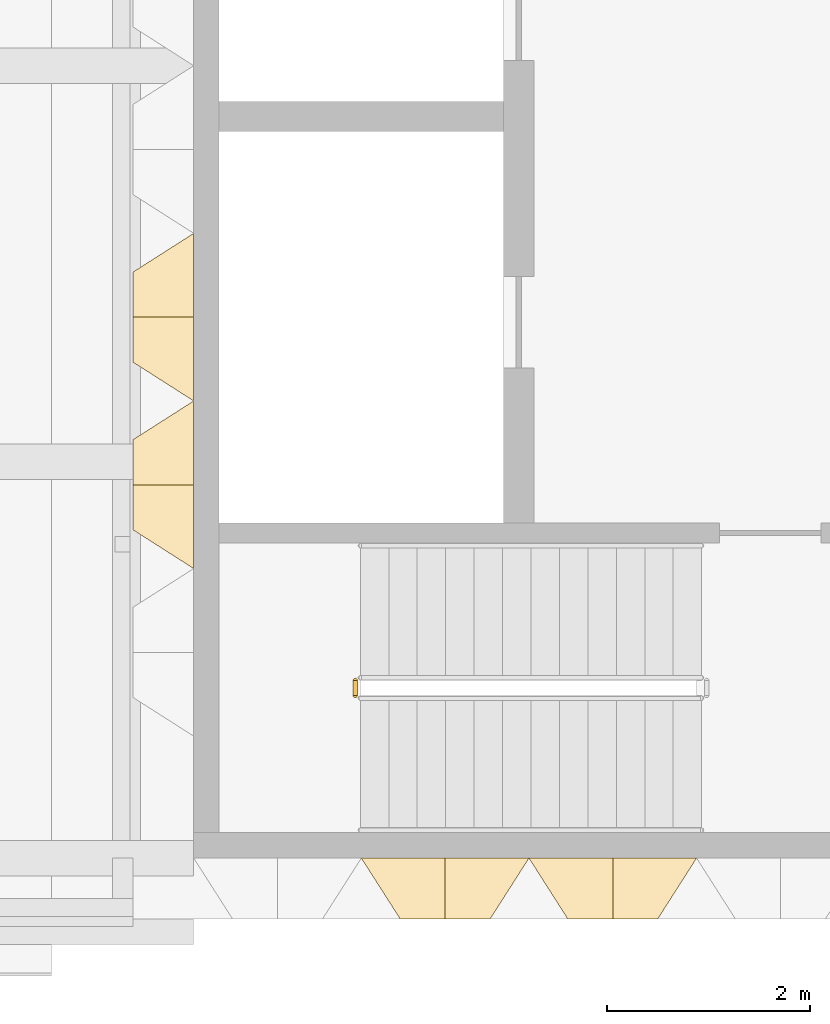
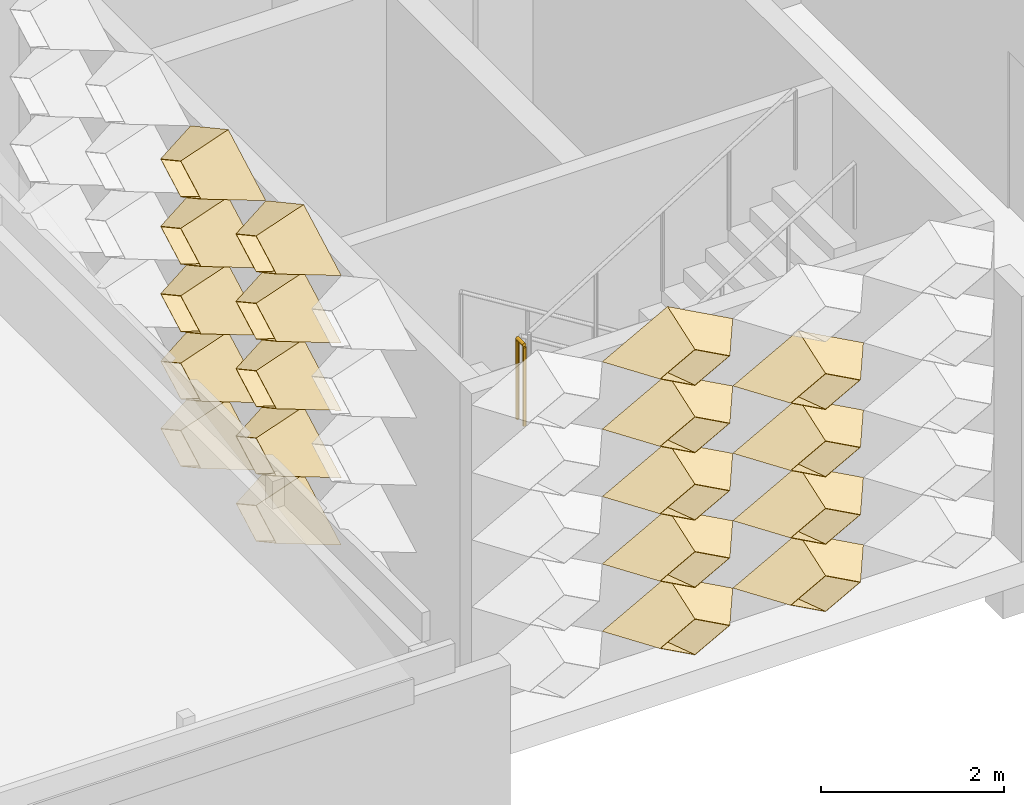
# One storey, part 22 of 39: 19 coverings, 1 railing.
"""IFC4 building model written with IfcOpenShell, lengths in metres."""

from ifc_helpers import new_model, entity, si_unit, direction, frame, origin, origin_2d, place, context, subcontext, project, spatial, circle, extrude, material, layer, layer_set, type_object, element, save


model = new_model("IFC4")

# Units and contexts
model_context = context("Model", 3, precision=1e-05, world=origin(), true_north=direction((0.0, 1.0)))
body_context = subcontext(model_context, "Body", "Model", "MODEL_VIEW")
ifc_project = project(units=[si_unit("LENGTHUNIT", "METRE"), si_unit("AREAUNIT", "SQUARE_METRE"), si_unit("VOLUMEUNIT", "CUBIC_METRE"), si_unit("PLANEANGLEUNIT", "RADIAN"), si_unit("MASSUNIT", "GRAM", prefix="KILO")], contexts=[model_context])

# Site, building, storey
site_placement = place(None, origin())
site = spatial("IfcSite", under=ifc_project, at=site_placement, CompositionType="ELEMENT")
building_placement = place(site_placement, origin())
building = spatial("IfcBuilding", under=site, at=building_placement, Name="Lantern Court Research Institute", CompositionType="ELEMENT")
storey_placement = place(building_placement, frame((0.0, 0.0, 27.89990234375)))
storey = spatial("IfcBuildingStorey", under=building, at=storey_placement, Name="L06", CompositionType="ELEMENT", Elevation=27.89990234375)

# Coverings
ifc_material_1 = material(Name="Anodised aluminium", Category="aluminium")
ifc_layer = layer(ifc_material_1, 0.01611328125)
ifc_layer_set = layer_set([ifc_layer], Name="Anodised aluminium")
covering_type = type_object("IfcCoveringType", Name="Fin cassette 1650 x 900 x 600 aluminium", PredefinedType="CLADDING", material=ifc_layer_set)
covering_1_placement = place(storey_placement, frame((55.27490234375, -7.800048828125, 0.4501953125), z_axis=(0.0, -1.0, 0.0), x_axis=(1.0, 0.0, 0.0)))
cartesian_point_1 = entity("IfcCartesianPoint", [0.824951171875, 0.0])
cartesian_point_2 = entity("IfcCartesianPoint", [0.79150390625, 0.0])
cartesian_point_3 = entity("IfcCartesianPoint", [0.44189453125, 0.0])
cartesian_point_4 = entity("IfcCartesianPoint", [0.43359375, 0.0])
element("IfcCovering", 1, at=covering_1_placement, inside=storey, type_object=covering_type, Name="Fin cassette V5S-L06 1.34", PredefinedType="CLADDING", context=body_context, shape_type="SweptSolid", body=[
    entity("IfcExtrudedAreaSolidTapered", entity("IfcArbitraryProfileDefWithVoids", "AREA", None, entity("IfcPolyline", [cartesian_point_1, entity("IfcCartesianPoint", [0.0, 0.449951171875]), entity("IfcCartesianPoint", [-0.824951171875, 0.0]), entity("IfcCartesianPoint", [0.0, -0.449951171875]), cartesian_point_1]), [entity("IfcPolyline", [cartesian_point_2, entity("IfcCartesianPoint", [0.0, 0.431884765625]), entity("IfcCartesianPoint", [-0.79150390625, 0.0]), entity("IfcCartesianPoint", [0.0, -0.431884765625]), cartesian_point_2])]), entity("IfcAxis2Placement3D", entity("IfcCartesianPoint", [0.0, 0.0, 0.0])), entity("IfcDirection", [0.0, 0.0, 1.0]), 0.60009765625, entity("IfcArbitraryProfileDefWithVoids", "AREA", None, entity("IfcPolyline", [cartesian_point_3, entity("IfcCartesianPoint", [0.0, 0.240966796875]), entity("IfcCartesianPoint", [-0.44189453125, 0.0]), entity("IfcCartesianPoint", [0.0, -0.240966796875]), cartesian_point_3]), [entity("IfcPolyline", [cartesian_point_4, entity("IfcCartesianPoint", [0.0, 0.236572265625]), entity("IfcCartesianPoint", [-0.43359375, 0.0]), entity("IfcCartesianPoint", [0.0, -0.236572265625]), cartesian_point_4])])),
])
covering_2_placement = place(storey_placement, frame((56.925048828125, -7.800048828125, 0.4501953125), z_axis=(0.0, -1.0, 0.0), x_axis=(1.0, 0.0, 0.0)))
cartesian_point_5 = entity("IfcCartesianPoint", [0.824951171875, 0.0])
cartesian_point_6 = entity("IfcCartesianPoint", [0.79150390625, 0.0])
cartesian_point_7 = entity("IfcCartesianPoint", [0.44189453125, 0.0])
cartesian_point_8 = entity("IfcCartesianPoint", [0.43359375, 0.0])
element("IfcCovering", 2, at=covering_2_placement, inside=storey, type_object=covering_type, Name="Fin cassette V5S-L06 1.35", PredefinedType="CLADDING", context=body_context, shape_type="SweptSolid", body=[
    entity("IfcExtrudedAreaSolidTapered", entity("IfcArbitraryProfileDefWithVoids", "AREA", None, entity("IfcPolyline", [cartesian_point_5, entity("IfcCartesianPoint", [0.0, 0.449951171875]), entity("IfcCartesianPoint", [-0.824951171875, 0.0]), entity("IfcCartesianPoint", [0.0, -0.449951171875]), cartesian_point_5]), [entity("IfcPolyline", [cartesian_point_6, entity("IfcCartesianPoint", [0.0, 0.431884765625]), entity("IfcCartesianPoint", [-0.79150390625, 0.0]), entity("IfcCartesianPoint", [0.0, -0.431884765625]), cartesian_point_6])]), entity("IfcAxis2Placement3D", entity("IfcCartesianPoint", [0.0, 0.0, 0.0])), entity("IfcDirection", [0.0, 0.0, 1.0]), 0.60009765625, entity("IfcArbitraryProfileDefWithVoids", "AREA", None, entity("IfcPolyline", [cartesian_point_7, entity("IfcCartesianPoint", [0.0, 0.240966796875]), entity("IfcCartesianPoint", [-0.44189453125, 0.0]), entity("IfcCartesianPoint", [0.0, -0.240966796875]), cartesian_point_7]), [entity("IfcPolyline", [cartesian_point_8, entity("IfcCartesianPoint", [0.0, 0.236572265625]), entity("IfcCartesianPoint", [-0.43359375, 0.0]), entity("IfcCartesianPoint", [0.0, -0.236572265625]), cartesian_point_8])])),
])
covering_3_placement = place(storey_placement, frame((55.27490234375, -7.800048828125, 1.35009765625), z_axis=(0.0, -1.0, 0.0), x_axis=(1.0, 0.0, 0.0)))
cartesian_point_9 = entity("IfcCartesianPoint", [0.824951171875, 0.0])
cartesian_point_10 = entity("IfcCartesianPoint", [0.79150390625, 0.0])
cartesian_point_11 = entity("IfcCartesianPoint", [0.44189453125, 0.0])
cartesian_point_12 = entity("IfcCartesianPoint", [0.43359375, 0.0])
element("IfcCovering", 3, at=covering_3_placement, inside=storey, type_object=covering_type, Name="Fin cassette V5S-L06 2.34", PredefinedType="CLADDING", context=body_context, shape_type="SweptSolid", body=[
    entity("IfcExtrudedAreaSolidTapered", entity("IfcArbitraryProfileDefWithVoids", "AREA", None, entity("IfcPolyline", [cartesian_point_9, entity("IfcCartesianPoint", [0.0, 0.449951171875]), entity("IfcCartesianPoint", [-0.824951171875, 0.0]), entity("IfcCartesianPoint", [0.0, -0.449951171875]), cartesian_point_9]), [entity("IfcPolyline", [cartesian_point_10, entity("IfcCartesianPoint", [0.0, 0.431884765625]), entity("IfcCartesianPoint", [-0.79150390625, 0.0]), entity("IfcCartesianPoint", [0.0, -0.431884765625]), cartesian_point_10])]), entity("IfcAxis2Placement3D", entity("IfcCartesianPoint", [0.0, 0.0, 0.0])), entity("IfcDirection", [0.0, 0.0, 1.0]), 0.60009765625, entity("IfcArbitraryProfileDefWithVoids", "AREA", None, entity("IfcPolyline", [cartesian_point_11, entity("IfcCartesianPoint", [0.0, 0.240966796875]), entity("IfcCartesianPoint", [-0.44189453125, 0.0]), entity("IfcCartesianPoint", [0.0, -0.240966796875]), cartesian_point_11]), [entity("IfcPolyline", [cartesian_point_12, entity("IfcCartesianPoint", [0.0, 0.236572265625]), entity("IfcCartesianPoint", [-0.43359375, 0.0]), entity("IfcCartesianPoint", [0.0, -0.236572265625]), cartesian_point_12])])),
])
covering_4_placement = place(storey_placement, frame((56.925048828125, -7.800048828125, 1.35009765625), z_axis=(0.0, -1.0, 0.0), x_axis=(1.0, 0.0, 0.0)))
cartesian_point_13 = entity("IfcCartesianPoint", [0.824951171875, 0.0])
cartesian_point_14 = entity("IfcCartesianPoint", [0.79150390625, 0.0])
cartesian_point_15 = entity("IfcCartesianPoint", [0.44189453125, 0.0])
cartesian_point_16 = entity("IfcCartesianPoint", [0.43359375, 0.0])
element("IfcCovering", 4, at=covering_4_placement, inside=storey, type_object=covering_type, Name="Fin cassette V5S-L06 2.35", PredefinedType="CLADDING", context=body_context, shape_type="SweptSolid", body=[
    entity("IfcExtrudedAreaSolidTapered", entity("IfcArbitraryProfileDefWithVoids", "AREA", None, entity("IfcPolyline", [cartesian_point_13, entity("IfcCartesianPoint", [0.0, 0.449951171875]), entity("IfcCartesianPoint", [-0.824951171875, 0.0]), entity("IfcCartesianPoint", [0.0, -0.449951171875]), cartesian_point_13]), [entity("IfcPolyline", [cartesian_point_14, entity("IfcCartesianPoint", [0.0, 0.431884765625]), entity("IfcCartesianPoint", [-0.79150390625, 0.0]), entity("IfcCartesianPoint", [0.0, -0.431884765625]), cartesian_point_14])]), entity("IfcAxis2Placement3D", entity("IfcCartesianPoint", [0.0, 0.0, 0.0])), entity("IfcDirection", [0.0, 0.0, 1.0]), 0.60009765625, entity("IfcArbitraryProfileDefWithVoids", "AREA", None, entity("IfcPolyline", [cartesian_point_15, entity("IfcCartesianPoint", [0.0, 0.240966796875]), entity("IfcCartesianPoint", [-0.44189453125, 0.0]), entity("IfcCartesianPoint", [0.0, -0.240966796875]), cartesian_point_15]), [entity("IfcPolyline", [cartesian_point_16, entity("IfcCartesianPoint", [0.0, 0.236572265625]), entity("IfcCartesianPoint", [-0.43359375, 0.0]), entity("IfcCartesianPoint", [0.0, -0.236572265625]), cartesian_point_16])])),
])
covering_5_placement = place(storey_placement, frame((55.27490234375, -7.800048828125, 2.25), z_axis=(0.0, -1.0, 0.0), x_axis=(1.0, 0.0, 0.0)))
cartesian_point_17 = entity("IfcCartesianPoint", [0.824951171875, 0.0])
cartesian_point_18 = entity("IfcCartesianPoint", [0.79150390625, 0.0])
cartesian_point_19 = entity("IfcCartesianPoint", [0.44189453125, 0.0])
cartesian_point_20 = entity("IfcCartesianPoint", [0.43359375, 0.0])
element("IfcCovering", 5, at=covering_5_placement, inside=storey, type_object=covering_type, Name="Fin cassette V5S-L06 3.34", PredefinedType="CLADDING", context=body_context, shape_type="SweptSolid", body=[
    entity("IfcExtrudedAreaSolidTapered", entity("IfcArbitraryProfileDefWithVoids", "AREA", None, entity("IfcPolyline", [cartesian_point_17, entity("IfcCartesianPoint", [0.0, 0.449951171875]), entity("IfcCartesianPoint", [-0.824951171875, 0.0]), entity("IfcCartesianPoint", [0.0, -0.449951171875]), cartesian_point_17]), [entity("IfcPolyline", [cartesian_point_18, entity("IfcCartesianPoint", [0.0, 0.431884765625]), entity("IfcCartesianPoint", [-0.79150390625, 0.0]), entity("IfcCartesianPoint", [0.0, -0.431884765625]), cartesian_point_18])]), entity("IfcAxis2Placement3D", entity("IfcCartesianPoint", [0.0, 0.0, 0.0])), entity("IfcDirection", [0.0, 0.0, 1.0]), 0.60009765625, entity("IfcArbitraryProfileDefWithVoids", "AREA", None, entity("IfcPolyline", [cartesian_point_19, entity("IfcCartesianPoint", [0.0, 0.240966796875]), entity("IfcCartesianPoint", [-0.44189453125, 0.0]), entity("IfcCartesianPoint", [0.0, -0.240966796875]), cartesian_point_19]), [entity("IfcPolyline", [cartesian_point_20, entity("IfcCartesianPoint", [0.0, 0.236572265625]), entity("IfcCartesianPoint", [-0.43359375, 0.0]), entity("IfcCartesianPoint", [0.0, -0.236572265625]), cartesian_point_20])])),
])
covering_6_placement = place(storey_placement, frame((56.925048828125, -7.800048828125, 2.25), z_axis=(0.0, -1.0, 0.0), x_axis=(1.0, 0.0, 0.0)))
cartesian_point_21 = entity("IfcCartesianPoint", [0.824951171875, 0.0])
cartesian_point_22 = entity("IfcCartesianPoint", [0.79150390625, 0.0])
cartesian_point_23 = entity("IfcCartesianPoint", [0.44189453125, 0.0])
cartesian_point_24 = entity("IfcCartesianPoint", [0.43359375, 0.0])
element("IfcCovering", 6, at=covering_6_placement, inside=storey, type_object=covering_type, Name="Fin cassette V5S-L06 3.35", PredefinedType="CLADDING", context=body_context, shape_type="SweptSolid", body=[
    entity("IfcExtrudedAreaSolidTapered", entity("IfcArbitraryProfileDefWithVoids", "AREA", None, entity("IfcPolyline", [cartesian_point_21, entity("IfcCartesianPoint", [0.0, 0.449951171875]), entity("IfcCartesianPoint", [-0.824951171875, 0.0]), entity("IfcCartesianPoint", [0.0, -0.449951171875]), cartesian_point_21]), [entity("IfcPolyline", [cartesian_point_22, entity("IfcCartesianPoint", [0.0, 0.431884765625]), entity("IfcCartesianPoint", [-0.79150390625, 0.0]), entity("IfcCartesianPoint", [0.0, -0.431884765625]), cartesian_point_22])]), entity("IfcAxis2Placement3D", entity("IfcCartesianPoint", [0.0, 0.0, 0.0])), entity("IfcDirection", [0.0, 0.0, 1.0]), 0.60009765625, entity("IfcArbitraryProfileDefWithVoids", "AREA", None, entity("IfcPolyline", [cartesian_point_23, entity("IfcCartesianPoint", [0.0, 0.240966796875]), entity("IfcCartesianPoint", [-0.44189453125, 0.0]), entity("IfcCartesianPoint", [0.0, -0.240966796875]), cartesian_point_23]), [entity("IfcPolyline", [cartesian_point_24, entity("IfcCartesianPoint", [0.0, 0.236572265625]), entity("IfcCartesianPoint", [-0.43359375, 0.0]), entity("IfcCartesianPoint", [0.0, -0.236572265625]), cartesian_point_24])])),
])
covering_7_placement = place(storey_placement, frame((55.27490234375, -7.800048828125, 3.150146484375), z_axis=(0.0, -1.0, 0.0), x_axis=(1.0, 0.0, 0.0)))
cartesian_point_25 = entity("IfcCartesianPoint", [0.824951171875, 0.0])
cartesian_point_26 = entity("IfcCartesianPoint", [0.79150390625, 0.0])
cartesian_point_27 = entity("IfcCartesianPoint", [0.44189453125, 0.0])
cartesian_point_28 = entity("IfcCartesianPoint", [0.43359375, 0.0])
element("IfcCovering", 7, at=covering_7_placement, inside=storey, type_object=covering_type, Name="Fin cassette V5S-L06 4.34", PredefinedType="CLADDING", context=body_context, shape_type="SweptSolid", body=[
    entity("IfcExtrudedAreaSolidTapered", entity("IfcArbitraryProfileDefWithVoids", "AREA", None, entity("IfcPolyline", [cartesian_point_25, entity("IfcCartesianPoint", [0.0, 0.449951171875]), entity("IfcCartesianPoint", [-0.824951171875, 0.0]), entity("IfcCartesianPoint", [0.0, -0.449951171875]), cartesian_point_25]), [entity("IfcPolyline", [cartesian_point_26, entity("IfcCartesianPoint", [0.0, 0.431884765625]), entity("IfcCartesianPoint", [-0.79150390625, 0.0]), entity("IfcCartesianPoint", [0.0, -0.431884765625]), cartesian_point_26])]), entity("IfcAxis2Placement3D", entity("IfcCartesianPoint", [0.0, 0.0, 0.0])), entity("IfcDirection", [0.0, 0.0, 1.0]), 0.60009765625, entity("IfcArbitraryProfileDefWithVoids", "AREA", None, entity("IfcPolyline", [cartesian_point_27, entity("IfcCartesianPoint", [0.0, 0.240966796875]), entity("IfcCartesianPoint", [-0.44189453125, 0.0]), entity("IfcCartesianPoint", [0.0, -0.240966796875]), cartesian_point_27]), [entity("IfcPolyline", [cartesian_point_28, entity("IfcCartesianPoint", [0.0, 0.236572265625]), entity("IfcCartesianPoint", [-0.43359375, 0.0]), entity("IfcCartesianPoint", [0.0, -0.236572265625]), cartesian_point_28])])),
])
covering_8_placement = place(storey_placement, frame((56.925048828125, -7.800048828125, 3.150146484375), z_axis=(0.0, -1.0, 0.0), x_axis=(1.0, 0.0, 0.0)))
cartesian_point_29 = entity("IfcCartesianPoint", [0.824951171875, 0.0])
cartesian_point_30 = entity("IfcCartesianPoint", [0.79150390625, 0.0])
cartesian_point_31 = entity("IfcCartesianPoint", [0.44189453125, 0.0])
cartesian_point_32 = entity("IfcCartesianPoint", [0.43359375, 0.0])
element("IfcCovering", 8, at=covering_8_placement, inside=storey, type_object=covering_type, Name="Fin cassette V5S-L06 4.35", PredefinedType="CLADDING", context=body_context, shape_type="SweptSolid", body=[
    entity("IfcExtrudedAreaSolidTapered", entity("IfcArbitraryProfileDefWithVoids", "AREA", None, entity("IfcPolyline", [cartesian_point_29, entity("IfcCartesianPoint", [0.0, 0.449951171875]), entity("IfcCartesianPoint", [-0.824951171875, 0.0]), entity("IfcCartesianPoint", [0.0, -0.449951171875]), cartesian_point_29]), [entity("IfcPolyline", [cartesian_point_30, entity("IfcCartesianPoint", [0.0, 0.431884765625]), entity("IfcCartesianPoint", [-0.79150390625, 0.0]), entity("IfcCartesianPoint", [0.0, -0.431884765625]), cartesian_point_30])]), entity("IfcAxis2Placement3D", entity("IfcCartesianPoint", [0.0, 0.0, 0.0])), entity("IfcDirection", [0.0, 0.0, 1.0]), 0.60009765625, entity("IfcArbitraryProfileDefWithVoids", "AREA", None, entity("IfcPolyline", [cartesian_point_31, entity("IfcCartesianPoint", [0.0, 0.240966796875]), entity("IfcCartesianPoint", [-0.44189453125, 0.0]), entity("IfcCartesianPoint", [0.0, -0.240966796875]), cartesian_point_31]), [entity("IfcPolyline", [cartesian_point_32, entity("IfcCartesianPoint", [0.0, 0.236572265625]), entity("IfcCartesianPoint", [-0.43359375, 0.0]), entity("IfcCartesianPoint", [0.0, -0.236572265625]), cartesian_point_32])])),
])
covering_9_placement = place(storey_placement, frame((55.27490234375, -7.800048828125, 4.050048828125), z_axis=(0.0, -1.0, 0.0), x_axis=(1.0, 0.0, 0.0)))
cartesian_point_33 = entity("IfcCartesianPoint", [0.824951171875, 0.0])
cartesian_point_34 = entity("IfcCartesianPoint", [0.79150390625, 0.0])
cartesian_point_35 = entity("IfcCartesianPoint", [0.44189453125, 0.0])
cartesian_point_36 = entity("IfcCartesianPoint", [0.43359375, 0.0])
element("IfcCovering", 9, at=covering_9_placement, inside=storey, type_object=covering_type, Name="Fin cassette V5S-L06 5.34", PredefinedType="CLADDING", context=body_context, shape_type="SweptSolid", body=[
    entity("IfcExtrudedAreaSolidTapered", entity("IfcArbitraryProfileDefWithVoids", "AREA", None, entity("IfcPolyline", [cartesian_point_33, entity("IfcCartesianPoint", [0.0, 0.449951171875]), entity("IfcCartesianPoint", [-0.824951171875, 0.0]), entity("IfcCartesianPoint", [0.0, -0.449951171875]), cartesian_point_33]), [entity("IfcPolyline", [cartesian_point_34, entity("IfcCartesianPoint", [0.0, 0.431884765625]), entity("IfcCartesianPoint", [-0.79150390625, 0.0]), entity("IfcCartesianPoint", [0.0, -0.431884765625]), cartesian_point_34])]), entity("IfcAxis2Placement3D", entity("IfcCartesianPoint", [0.0, 0.0, 0.0])), entity("IfcDirection", [0.0, 0.0, 1.0]), 0.60009765625, entity("IfcArbitraryProfileDefWithVoids", "AREA", None, entity("IfcPolyline", [cartesian_point_35, entity("IfcCartesianPoint", [0.0, 0.240966796875]), entity("IfcCartesianPoint", [-0.44189453125, 0.0]), entity("IfcCartesianPoint", [0.0, -0.240966796875]), cartesian_point_35]), [entity("IfcPolyline", [cartesian_point_36, entity("IfcCartesianPoint", [0.0, 0.236572265625]), entity("IfcCartesianPoint", [-0.43359375, 0.0]), entity("IfcCartesianPoint", [0.0, -0.236572265625]), cartesian_point_36])])),
])
covering_10_placement = place(storey_placement, frame((52.800048828125, -4.125, 0.4501953125), z_axis=(-1.0, 0.0, 0.0), x_axis=(0.0, -1.0, 0.0)))
cartesian_point_37 = entity("IfcCartesianPoint", [0.824951171875, 0.0])
cartesian_point_38 = entity("IfcCartesianPoint", [0.79150390625, 0.0])
cartesian_point_39 = entity("IfcCartesianPoint", [0.44189453125, 0.0])
cartesian_point_40 = entity("IfcCartesianPoint", [0.43359375, 0.0])
element("IfcCovering", 10, at=covering_10_placement, inside=storey, type_object=covering_type, Name="Fin cassette V5W-L06 1.-2", PredefinedType="CLADDING", context=body_context, shape_type="SweptSolid", body=[
    entity("IfcExtrudedAreaSolidTapered", entity("IfcArbitraryProfileDefWithVoids", "AREA", None, entity("IfcPolyline", [cartesian_point_37, entity("IfcCartesianPoint", [0.0, 0.449951171875]), entity("IfcCartesianPoint", [-0.824951171875, 0.0]), entity("IfcCartesianPoint", [0.0, -0.449951171875]), cartesian_point_37]), [entity("IfcPolyline", [cartesian_point_38, entity("IfcCartesianPoint", [0.0, 0.431884765625]), entity("IfcCartesianPoint", [-0.79150390625, 0.0]), entity("IfcCartesianPoint", [0.0, -0.431884765625]), cartesian_point_38])]), entity("IfcAxis2Placement3D", entity("IfcCartesianPoint", [0.0, 0.0, 0.0])), entity("IfcDirection", [0.0, 0.0, 1.0]), 0.60009765625, entity("IfcArbitraryProfileDefWithVoids", "AREA", None, entity("IfcPolyline", [cartesian_point_39, entity("IfcCartesianPoint", [0.0, 0.240966796875]), entity("IfcCartesianPoint", [-0.44189453125, 0.0]), entity("IfcCartesianPoint", [0.0, -0.240966796875]), cartesian_point_39]), [entity("IfcPolyline", [cartesian_point_40, entity("IfcCartesianPoint", [0.0, 0.236572265625]), entity("IfcCartesianPoint", [-0.43359375, 0.0]), entity("IfcCartesianPoint", [0.0, -0.236572265625]), cartesian_point_40])])),
])
covering_11_placement = place(storey_placement, frame((52.800048828125, -2.47509765625, 0.4501953125), z_axis=(-1.0, 0.0, 0.0), x_axis=(0.0, -1.0, 0.0)))
cartesian_point_41 = entity("IfcCartesianPoint", [0.824951171875, 0.0])
cartesian_point_42 = entity("IfcCartesianPoint", [0.79150390625, 0.0])
cartesian_point_43 = entity("IfcCartesianPoint", [0.44189453125, 0.0])
cartesian_point_44 = entity("IfcCartesianPoint", [0.43359375, 0.0])
element("IfcCovering", 11, at=covering_11_placement, inside=storey, type_object=covering_type, Name="Fin cassette V5W-L06 1.-1", PredefinedType="CLADDING", context=body_context, shape_type="SweptSolid", body=[
    entity("IfcExtrudedAreaSolidTapered", entity("IfcArbitraryProfileDefWithVoids", "AREA", None, entity("IfcPolyline", [cartesian_point_41, entity("IfcCartesianPoint", [0.0, 0.449951171875]), entity("IfcCartesianPoint", [-0.824951171875, 0.0]), entity("IfcCartesianPoint", [0.0, -0.449951171875]), cartesian_point_41]), [entity("IfcPolyline", [cartesian_point_42, entity("IfcCartesianPoint", [0.0, 0.431884765625]), entity("IfcCartesianPoint", [-0.79150390625, 0.0]), entity("IfcCartesianPoint", [0.0, -0.431884765625]), cartesian_point_42])]), entity("IfcAxis2Placement3D", entity("IfcCartesianPoint", [0.0, 0.0, 0.0])), entity("IfcDirection", [0.0, 0.0, 1.0]), 0.60009765625, entity("IfcArbitraryProfileDefWithVoids", "AREA", None, entity("IfcPolyline", [cartesian_point_43, entity("IfcCartesianPoint", [0.0, 0.240966796875]), entity("IfcCartesianPoint", [-0.44189453125, 0.0]), entity("IfcCartesianPoint", [0.0, -0.240966796875]), cartesian_point_43]), [entity("IfcPolyline", [cartesian_point_44, entity("IfcCartesianPoint", [0.0, 0.236572265625]), entity("IfcCartesianPoint", [-0.43359375, 0.0]), entity("IfcCartesianPoint", [0.0, -0.236572265625]), cartesian_point_44])])),
])
covering_12_placement = place(storey_placement, frame((52.800048828125, -4.125, 1.35009765625), z_axis=(-1.0, 0.0, 0.0), x_axis=(0.0, -1.0, 0.0)))
cartesian_point_45 = entity("IfcCartesianPoint", [0.824951171875, 0.0])
cartesian_point_46 = entity("IfcCartesianPoint", [0.79150390625, 0.0])
cartesian_point_47 = entity("IfcCartesianPoint", [0.44189453125, 0.0])
cartesian_point_48 = entity("IfcCartesianPoint", [0.43359375, 0.0])
element("IfcCovering", 12, at=covering_12_placement, inside=storey, type_object=covering_type, Name="Fin cassette V5W-L06 2.-2", PredefinedType="CLADDING", context=body_context, shape_type="SweptSolid", body=[
    entity("IfcExtrudedAreaSolidTapered", entity("IfcArbitraryProfileDefWithVoids", "AREA", None, entity("IfcPolyline", [cartesian_point_45, entity("IfcCartesianPoint", [0.0, 0.449951171875]), entity("IfcCartesianPoint", [-0.824951171875, 0.0]), entity("IfcCartesianPoint", [0.0, -0.449951171875]), cartesian_point_45]), [entity("IfcPolyline", [cartesian_point_46, entity("IfcCartesianPoint", [0.0, 0.431884765625]), entity("IfcCartesianPoint", [-0.79150390625, 0.0]), entity("IfcCartesianPoint", [0.0, -0.431884765625]), cartesian_point_46])]), entity("IfcAxis2Placement3D", entity("IfcCartesianPoint", [0.0, 0.0, 0.0])), entity("IfcDirection", [0.0, 0.0, 1.0]), 0.60009765625, entity("IfcArbitraryProfileDefWithVoids", "AREA", None, entity("IfcPolyline", [cartesian_point_47, entity("IfcCartesianPoint", [0.0, 0.240966796875]), entity("IfcCartesianPoint", [-0.44189453125, 0.0]), entity("IfcCartesianPoint", [0.0, -0.240966796875]), cartesian_point_47]), [entity("IfcPolyline", [cartesian_point_48, entity("IfcCartesianPoint", [0.0, 0.236572265625]), entity("IfcCartesianPoint", [-0.43359375, 0.0]), entity("IfcCartesianPoint", [0.0, -0.236572265625]), cartesian_point_48])])),
])
covering_13_placement = place(storey_placement, frame((52.800048828125, -2.47509765625, 1.35009765625), z_axis=(-1.0, 0.0, 0.0), x_axis=(0.0, -1.0, 0.0)))
cartesian_point_49 = entity("IfcCartesianPoint", [0.824951171875, 0.0])
cartesian_point_50 = entity("IfcCartesianPoint", [0.79150390625, 0.0])
cartesian_point_51 = entity("IfcCartesianPoint", [0.44189453125, 0.0])
cartesian_point_52 = entity("IfcCartesianPoint", [0.43359375, 0.0])
element("IfcCovering", 13, at=covering_13_placement, inside=storey, type_object=covering_type, Name="Fin cassette V5W-L06 2.-1", PredefinedType="CLADDING", context=body_context, shape_type="SweptSolid", body=[
    entity("IfcExtrudedAreaSolidTapered", entity("IfcArbitraryProfileDefWithVoids", "AREA", None, entity("IfcPolyline", [cartesian_point_49, entity("IfcCartesianPoint", [0.0, 0.449951171875]), entity("IfcCartesianPoint", [-0.824951171875, 0.0]), entity("IfcCartesianPoint", [0.0, -0.449951171875]), cartesian_point_49]), [entity("IfcPolyline", [cartesian_point_50, entity("IfcCartesianPoint", [0.0, 0.431884765625]), entity("IfcCartesianPoint", [-0.79150390625, 0.0]), entity("IfcCartesianPoint", [0.0, -0.431884765625]), cartesian_point_50])]), entity("IfcAxis2Placement3D", entity("IfcCartesianPoint", [0.0, 0.0, 0.0])), entity("IfcDirection", [0.0, 0.0, 1.0]), 0.60009765625, entity("IfcArbitraryProfileDefWithVoids", "AREA", None, entity("IfcPolyline", [cartesian_point_51, entity("IfcCartesianPoint", [0.0, 0.240966796875]), entity("IfcCartesianPoint", [-0.44189453125, 0.0]), entity("IfcCartesianPoint", [0.0, -0.240966796875]), cartesian_point_51]), [entity("IfcPolyline", [cartesian_point_52, entity("IfcCartesianPoint", [0.0, 0.236572265625]), entity("IfcCartesianPoint", [-0.43359375, 0.0]), entity("IfcCartesianPoint", [0.0, -0.236572265625]), cartesian_point_52])])),
])
covering_14_placement = place(storey_placement, frame((52.800048828125, -4.125, 2.25), z_axis=(-1.0, 0.0, 0.0), x_axis=(0.0, -1.0, 0.0)))
cartesian_point_53 = entity("IfcCartesianPoint", [0.824951171875, 0.0])
cartesian_point_54 = entity("IfcCartesianPoint", [0.79150390625, 0.0])
cartesian_point_55 = entity("IfcCartesianPoint", [0.44189453125, 0.0])
cartesian_point_56 = entity("IfcCartesianPoint", [0.43359375, 0.0])
element("IfcCovering", 14, at=covering_14_placement, inside=storey, type_object=covering_type, Name="Fin cassette V5W-L06 3.-2", PredefinedType="CLADDING", context=body_context, shape_type="SweptSolid", body=[
    entity("IfcExtrudedAreaSolidTapered", entity("IfcArbitraryProfileDefWithVoids", "AREA", None, entity("IfcPolyline", [cartesian_point_53, entity("IfcCartesianPoint", [0.0, 0.449951171875]), entity("IfcCartesianPoint", [-0.824951171875, 0.0]), entity("IfcCartesianPoint", [0.0, -0.449951171875]), cartesian_point_53]), [entity("IfcPolyline", [cartesian_point_54, entity("IfcCartesianPoint", [0.0, 0.431884765625]), entity("IfcCartesianPoint", [-0.79150390625, 0.0]), entity("IfcCartesianPoint", [0.0, -0.431884765625]), cartesian_point_54])]), entity("IfcAxis2Placement3D", entity("IfcCartesianPoint", [0.0, 0.0, 0.0])), entity("IfcDirection", [0.0, 0.0, 1.0]), 0.60009765625, entity("IfcArbitraryProfileDefWithVoids", "AREA", None, entity("IfcPolyline", [cartesian_point_55, entity("IfcCartesianPoint", [0.0, 0.240966796875]), entity("IfcCartesianPoint", [-0.44189453125, 0.0]), entity("IfcCartesianPoint", [0.0, -0.240966796875]), cartesian_point_55]), [entity("IfcPolyline", [cartesian_point_56, entity("IfcCartesianPoint", [0.0, 0.236572265625]), entity("IfcCartesianPoint", [-0.43359375, 0.0]), entity("IfcCartesianPoint", [0.0, -0.236572265625]), cartesian_point_56])])),
])
covering_15_placement = place(storey_placement, frame((52.800048828125, -2.47509765625, 2.25), z_axis=(-1.0, 0.0, 0.0), x_axis=(0.0, -1.0, 0.0)))
cartesian_point_57 = entity("IfcCartesianPoint", [0.824951171875, 0.0])
cartesian_point_58 = entity("IfcCartesianPoint", [0.79150390625, 0.0])
cartesian_point_59 = entity("IfcCartesianPoint", [0.44189453125, 0.0])
cartesian_point_60 = entity("IfcCartesianPoint", [0.43359375, 0.0])
element("IfcCovering", 15, at=covering_15_placement, inside=storey, type_object=covering_type, Name="Fin cassette V5W-L06 3.-1", PredefinedType="CLADDING", context=body_context, shape_type="SweptSolid", body=[
    entity("IfcExtrudedAreaSolidTapered", entity("IfcArbitraryProfileDefWithVoids", "AREA", None, entity("IfcPolyline", [cartesian_point_57, entity("IfcCartesianPoint", [0.0, 0.449951171875]), entity("IfcCartesianPoint", [-0.824951171875, 0.0]), entity("IfcCartesianPoint", [0.0, -0.449951171875]), cartesian_point_57]), [entity("IfcPolyline", [cartesian_point_58, entity("IfcCartesianPoint", [0.0, 0.431884765625]), entity("IfcCartesianPoint", [-0.79150390625, 0.0]), entity("IfcCartesianPoint", [0.0, -0.431884765625]), cartesian_point_58])]), entity("IfcAxis2Placement3D", entity("IfcCartesianPoint", [0.0, 0.0, 0.0])), entity("IfcDirection", [0.0, 0.0, 1.0]), 0.60009765625, entity("IfcArbitraryProfileDefWithVoids", "AREA", None, entity("IfcPolyline", [cartesian_point_59, entity("IfcCartesianPoint", [0.0, 0.240966796875]), entity("IfcCartesianPoint", [-0.44189453125, 0.0]), entity("IfcCartesianPoint", [0.0, -0.240966796875]), cartesian_point_59]), [entity("IfcPolyline", [cartesian_point_60, entity("IfcCartesianPoint", [0.0, 0.236572265625]), entity("IfcCartesianPoint", [-0.43359375, 0.0]), entity("IfcCartesianPoint", [0.0, -0.236572265625]), cartesian_point_60])])),
])
covering_16_placement = place(storey_placement, frame((52.800048828125, -4.125, 3.150146484375), z_axis=(-1.0, 0.0, 0.0), x_axis=(0.0, -1.0, 0.0)))
cartesian_point_61 = entity("IfcCartesianPoint", [0.824951171875, 0.0])
cartesian_point_62 = entity("IfcCartesianPoint", [0.79150390625, 0.0])
cartesian_point_63 = entity("IfcCartesianPoint", [0.44189453125, 0.0])
cartesian_point_64 = entity("IfcCartesianPoint", [0.43359375, 0.0])
element("IfcCovering", 16, at=covering_16_placement, inside=storey, type_object=covering_type, Name="Fin cassette V5W-L06 4.-2", PredefinedType="CLADDING", context=body_context, shape_type="SweptSolid", body=[
    entity("IfcExtrudedAreaSolidTapered", entity("IfcArbitraryProfileDefWithVoids", "AREA", None, entity("IfcPolyline", [cartesian_point_61, entity("IfcCartesianPoint", [0.0, 0.449951171875]), entity("IfcCartesianPoint", [-0.824951171875, 0.0]), entity("IfcCartesianPoint", [0.0, -0.449951171875]), cartesian_point_61]), [entity("IfcPolyline", [cartesian_point_62, entity("IfcCartesianPoint", [0.0, 0.431884765625]), entity("IfcCartesianPoint", [-0.79150390625, 0.0]), entity("IfcCartesianPoint", [0.0, -0.431884765625]), cartesian_point_62])]), entity("IfcAxis2Placement3D", entity("IfcCartesianPoint", [0.0, 0.0, 0.0])), entity("IfcDirection", [0.0, 0.0, 1.0]), 0.60009765625, entity("IfcArbitraryProfileDefWithVoids", "AREA", None, entity("IfcPolyline", [cartesian_point_63, entity("IfcCartesianPoint", [0.0, 0.240966796875]), entity("IfcCartesianPoint", [-0.44189453125, 0.0]), entity("IfcCartesianPoint", [0.0, -0.240966796875]), cartesian_point_63]), [entity("IfcPolyline", [cartesian_point_64, entity("IfcCartesianPoint", [0.0, 0.236572265625]), entity("IfcCartesianPoint", [-0.43359375, 0.0]), entity("IfcCartesianPoint", [0.0, -0.236572265625]), cartesian_point_64])])),
])
covering_17_placement = place(storey_placement, frame((52.800048828125, -2.47509765625, 3.150146484375), z_axis=(-1.0, 0.0, 0.0), x_axis=(0.0, -1.0, 0.0)))
cartesian_point_65 = entity("IfcCartesianPoint", [0.824951171875, 0.0])
cartesian_point_66 = entity("IfcCartesianPoint", [0.79150390625, 0.0])
cartesian_point_67 = entity("IfcCartesianPoint", [0.44189453125, 0.0])
cartesian_point_68 = entity("IfcCartesianPoint", [0.43359375, 0.0])
element("IfcCovering", 17, at=covering_17_placement, inside=storey, type_object=covering_type, Name="Fin cassette V5W-L06 4.-1", PredefinedType="CLADDING", context=body_context, shape_type="SweptSolid", body=[
    entity("IfcExtrudedAreaSolidTapered", entity("IfcArbitraryProfileDefWithVoids", "AREA", None, entity("IfcPolyline", [cartesian_point_65, entity("IfcCartesianPoint", [0.0, 0.449951171875]), entity("IfcCartesianPoint", [-0.824951171875, 0.0]), entity("IfcCartesianPoint", [0.0, -0.449951171875]), cartesian_point_65]), [entity("IfcPolyline", [cartesian_point_66, entity("IfcCartesianPoint", [0.0, 0.431884765625]), entity("IfcCartesianPoint", [-0.79150390625, 0.0]), entity("IfcCartesianPoint", [0.0, -0.431884765625]), cartesian_point_66])]), entity("IfcAxis2Placement3D", entity("IfcCartesianPoint", [0.0, 0.0, 0.0])), entity("IfcDirection", [0.0, 0.0, 1.0]), 0.60009765625, entity("IfcArbitraryProfileDefWithVoids", "AREA", None, entity("IfcPolyline", [cartesian_point_67, entity("IfcCartesianPoint", [0.0, 0.240966796875]), entity("IfcCartesianPoint", [-0.44189453125, 0.0]), entity("IfcCartesianPoint", [0.0, -0.240966796875]), cartesian_point_67]), [entity("IfcPolyline", [cartesian_point_68, entity("IfcCartesianPoint", [0.0, 0.236572265625]), entity("IfcCartesianPoint", [-0.43359375, 0.0]), entity("IfcCartesianPoint", [0.0, -0.236572265625]), cartesian_point_68])])),
])
covering_18_placement = place(storey_placement, frame((52.800048828125, -4.125, 4.050048828125), z_axis=(-1.0, 0.0, 0.0), x_axis=(0.0, -1.0, 0.0)))
cartesian_point_69 = entity("IfcCartesianPoint", [0.824951171875, 0.0])
cartesian_point_70 = entity("IfcCartesianPoint", [0.79150390625, 0.0])
cartesian_point_71 = entity("IfcCartesianPoint", [0.44189453125, 0.0])
cartesian_point_72 = entity("IfcCartesianPoint", [0.43359375, 0.0])
element("IfcCovering", 18, at=covering_18_placement, inside=storey, type_object=covering_type, Name="Fin cassette V5W-L06 5.-2", PredefinedType="CLADDING", context=body_context, shape_type="SweptSolid", body=[
    entity("IfcExtrudedAreaSolidTapered", entity("IfcArbitraryProfileDefWithVoids", "AREA", None, entity("IfcPolyline", [cartesian_point_69, entity("IfcCartesianPoint", [0.0, 0.449951171875]), entity("IfcCartesianPoint", [-0.824951171875, 0.0]), entity("IfcCartesianPoint", [0.0, -0.449951171875]), cartesian_point_69]), [entity("IfcPolyline", [cartesian_point_70, entity("IfcCartesianPoint", [0.0, 0.431884765625]), entity("IfcCartesianPoint", [-0.79150390625, 0.0]), entity("IfcCartesianPoint", [0.0, -0.431884765625]), cartesian_point_70])]), entity("IfcAxis2Placement3D", entity("IfcCartesianPoint", [0.0, 0.0, 0.0])), entity("IfcDirection", [0.0, 0.0, 1.0]), 0.60009765625, entity("IfcArbitraryProfileDefWithVoids", "AREA", None, entity("IfcPolyline", [cartesian_point_71, entity("IfcCartesianPoint", [0.0, 0.240966796875]), entity("IfcCartesianPoint", [-0.44189453125, 0.0]), entity("IfcCartesianPoint", [0.0, -0.240966796875]), cartesian_point_71]), [entity("IfcPolyline", [cartesian_point_72, entity("IfcCartesianPoint", [0.0, 0.236572265625]), entity("IfcCartesianPoint", [-0.43359375, 0.0]), entity("IfcCartesianPoint", [0.0, -0.236572265625]), cartesian_point_72])])),
])
covering_19_placement = place(storey_placement, frame((52.800048828125, -2.47509765625, 4.050048828125), z_axis=(-1.0, 0.0, 0.0), x_axis=(0.0, -1.0, 0.0)))
cartesian_point_73 = entity("IfcCartesianPoint", [0.824951171875, 0.0])
cartesian_point_74 = entity("IfcCartesianPoint", [0.79150390625, 0.0])
cartesian_point_75 = entity("IfcCartesianPoint", [0.44189453125, 0.0])
cartesian_point_76 = entity("IfcCartesianPoint", [0.43359375, 0.0])
element("IfcCovering", 19, at=covering_19_placement, inside=storey, type_object=covering_type, Name="Fin cassette V5W-L06 5.-1", PredefinedType="CLADDING", context=body_context, shape_type="SweptSolid", body=[
    entity("IfcExtrudedAreaSolidTapered", entity("IfcArbitraryProfileDefWithVoids", "AREA", None, entity("IfcPolyline", [cartesian_point_73, entity("IfcCartesianPoint", [0.0, 0.449951171875]), entity("IfcCartesianPoint", [-0.824951171875, 0.0]), entity("IfcCartesianPoint", [0.0, -0.449951171875]), cartesian_point_73]), [entity("IfcPolyline", [cartesian_point_74, entity("IfcCartesianPoint", [0.0, 0.431884765625]), entity("IfcCartesianPoint", [-0.79150390625, 0.0]), entity("IfcCartesianPoint", [0.0, -0.431884765625]), cartesian_point_74])]), entity("IfcAxis2Placement3D", entity("IfcCartesianPoint", [0.0, 0.0, 0.0])), entity("IfcDirection", [0.0, 0.0, 1.0]), 0.60009765625, entity("IfcArbitraryProfileDefWithVoids", "AREA", None, entity("IfcPolyline", [cartesian_point_75, entity("IfcCartesianPoint", [0.0, 0.240966796875]), entity("IfcCartesianPoint", [-0.44189453125, 0.0]), entity("IfcCartesianPoint", [0.0, -0.240966796875]), cartesian_point_75]), [entity("IfcPolyline", [cartesian_point_76, entity("IfcCartesianPoint", [0.0, 0.236572265625]), entity("IfcCartesianPoint", [-0.43359375, 0.0]), entity("IfcCartesianPoint", [0.0, -0.236572265625]), cartesian_point_76])])),
])

# Railing
ifc_material_2 = material(Name="Structural steel S355", Category="steel")
railing_type = type_object("IfcRailingType", Name="Stair guard 1100 steel", PredefinedType="GUARDRAIL", material=ifc_material_2)
railing_placement = place(storey_placement, frame((54.389892578125, -6.050048828125, 2.25)))
element("IfcRailing", 20, at=railing_placement, inside=storey, type_object=railing_type, Name="L06 ST-T1 stair guard 2", PredefinedType="GUARDRAIL", context=body_context, shape_type="SweptSolid", body=[
    extrude(circle(Radius=0.02392578125, at=origin_2d()), frame((0.0, 0.0, 1.076171875), z_axis=(0.0, -1.0, 0.0), x_axis=(1.0, 0.0, 0.0)), (0.0, 0.0, 1.0), 0.14990234375),
    extrude(circle(Radius=0.02099609375, at=origin_2d()), origin(), (0.0, 0.0, 1.0), 1.052001953125),
    extrude(circle(Radius=0.02099609375, at=origin_2d()), frame((0.0, -0.14990234375, 0.0)), (0.0, 0.0, 1.0), 1.052001953125),
])

save(model, "model.ifc")
